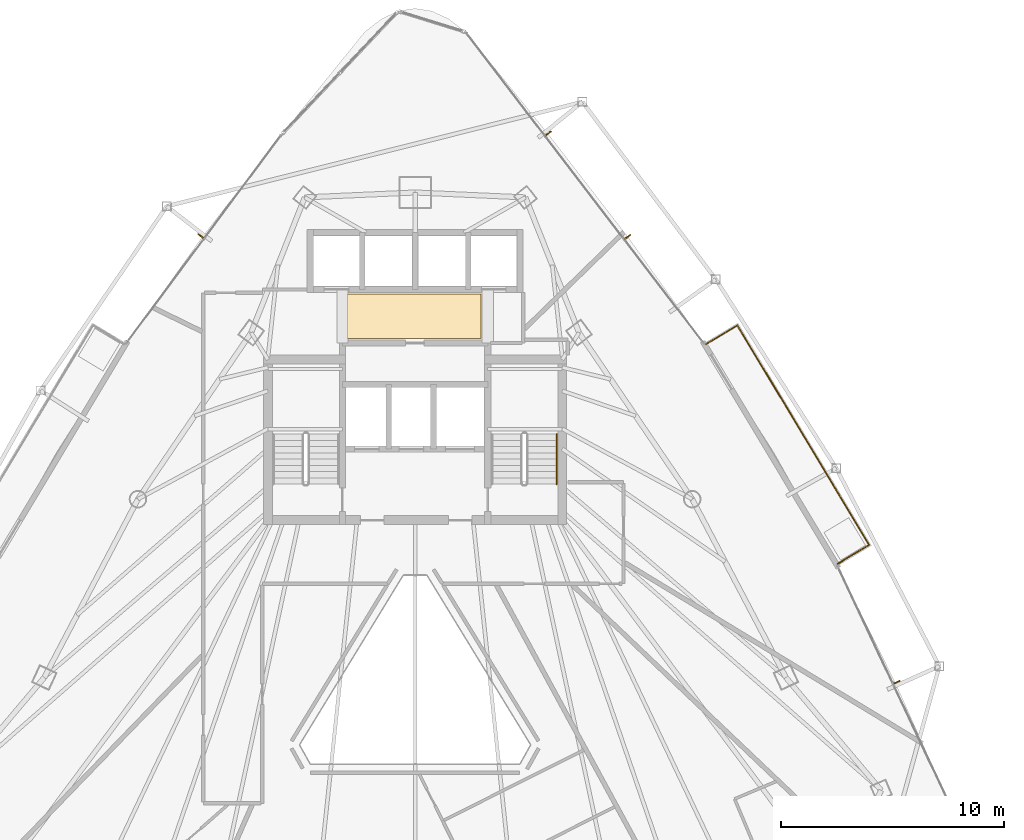
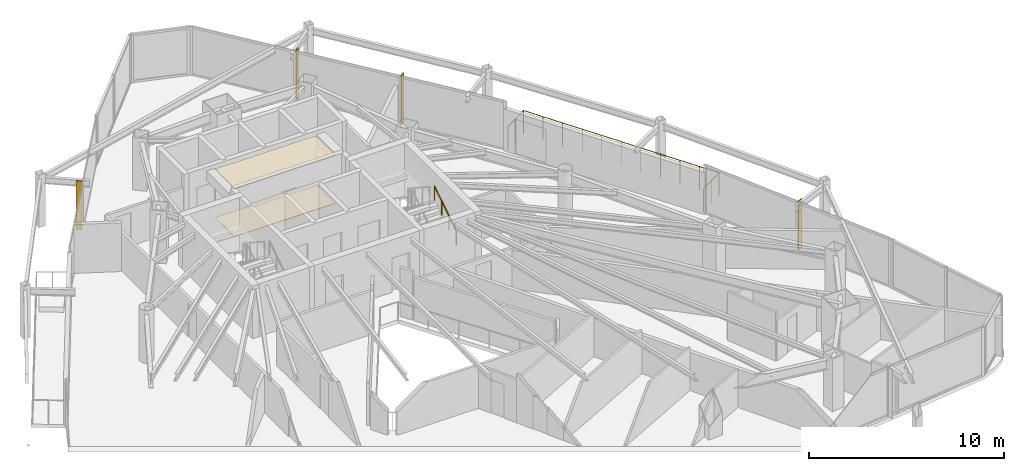
# One storey, part 31 of 31: 4 shading devices, 2 coverings, 2 railings.
"""IFC4 building model written with IfcOpenShell, lengths in metres."""

from ifc_helpers import new_model, si_unit, direction, frame, origin, origin_2d, place, context, subcontext, project, spatial, polyline, rectangle, circle, outline, extrude, material, layer, layer_set, type_object, element, save


model = new_model("IFC4")

# Units and contexts
model_context = context("Model", 3, precision=1e-05, world=origin(), true_north=direction((0.0, 1.0)))
body_context = subcontext(model_context, "Body", "Model", "MODEL_VIEW")
ifc_project = project(units=[si_unit("LENGTHUNIT", "METRE"), si_unit("AREAUNIT", "SQUARE_METRE"), si_unit("VOLUMEUNIT", "CUBIC_METRE"), si_unit("PLANEANGLEUNIT", "RADIAN"), si_unit("MASSUNIT", "GRAM", prefix="KILO")], contexts=[model_context])

# Site, building, storey
site_placement = place(None, origin())
site = spatial("IfcSite", under=ifc_project, at=site_placement, CompositionType="ELEMENT")
building_placement = place(site_placement, origin())
building = spatial("IfcBuilding", under=site, at=building_placement, Name="Orvanel Arch Residences", CompositionType="ELEMENT")
storey_placement = place(building_placement, frame((0.0, 0.0, 110.0)))
storey = spatial("IfcBuildingStorey", under=building, at=storey_placement, Name="L30", CompositionType="ELEMENT", Elevation=110.0)

# Coverings
ifc_material_1 = material(Name="Perforated acoustic mineral-fibre ceiling tile", Category="gypsum")
ifc_layer_1 = layer(ifc_material_1, 0.034912109375)
ifc_layer_set_1 = layer_set([ifc_layer_1], Name="Perforated acoustic mineral-fibre ceiling tile")
covering_type_1 = type_object("IfcCoveringType", Name="COV-CLG-ACS35", PredefinedType="CEILING", material=ifc_layer_set_1)
covering_1_placement = place(storey_placement, frame((0.0, 0.0, 3.02490234375)))
element("IfcCovering", 1, at=covering_1_placement, inside=storey, type_object=covering_type_1, Name="L30 Lift Lobby Acoustic Ceiling", PredefinedType="CEILING", context=body_context, shape_type="SweptSolid", body=[
    extrude(outline(polyline([(29.949951171875, 34.85009765625), (35.949951171875, 34.85009765625), (35.949951171875, 36.85009765625), (29.949951171875, 36.85009765625), (29.949951171875, 34.85009765625)])), origin(), (0.0, 0.0, 1.0), 0.03515625),
])
ifc_material_2 = material(Name="Honed cementitious terrazzo floor finish", Category="concrete")
ifc_layer_2 = layer(ifc_material_2, 0.02490234375)
ifc_layer_set_2 = layer_set([ifc_layer_2], Name="Honed cementitious terrazzo floor finish")
covering_type_2 = type_object("IfcCoveringType", Name="COV-FLR-TRZ25", PredefinedType="FLOORING", material=ifc_layer_set_2)
covering_2_placement = place(storey_placement, origin())
element("IfcCovering", 2, at=covering_2_placement, inside=storey, type_object=covering_type_2, Name="L30 Lift Lobby Terrazzo Flooring", PredefinedType="FLOORING", context=body_context, shape_type="SweptSolid", body=[
    extrude(outline(polyline([(29.949951171875, 34.85009765625), (35.949951171875, 34.85009765625), (35.949951171875, 36.85009765625), (29.949951171875, 36.85009765625), (29.949951171875, 34.85009765625)])), origin(), (0.0, 0.0, 1.0), 0.02490234375),
])

# Shading devices
ifc_material_3 = material(Name="Bronze-anodised aluminium AA6063-T6", Category="aluminium")
ifc_layer_3 = layer(ifc_material_3, 0.054931640625)
ifc_layer_set_3 = layer_set([ifc_layer_3], Name="Bronze-anodised aluminium AA6063-T6")
shading_device_type = type_object("IfcShadingDeviceType", Name="FIN-BRZ-320", PredefinedType="USERDEFINED", material=ifc_layer_set_3)
for number, where, z_axis, x_axis, name in (
    (3, (23.388916015625, 39.44091796875, 0.0), (0.0, 0.0, 1.0), (-0.801775644244, 0.597625146976, 0.0), "L30 Anodised Bronze Mullion FIN 01"),
    (4, (54.614013671875, 19.430908203125, 0.0), (0.0, 0.0, 1.0), (0.904082549661, 0.427357863387, 0.0), "L30 Anodised Bronze Mullion FIN 01"),
    (5, (42.535888671875, 39.406982421875, 0.0), (0.0, 0.0, 1.0), (0.794414620535, 0.607375839723, 0.0), "L30 Anodised Bronze Mullion FIN 01"),
    (6, (38.98095703125, 44.050048828125, 0.0), (0.0, 0.0, 1.0), (0.794414620535, 0.607375839723, 0.0), "L30 Anodised Bronze Mullion FIN 02"),
):
    element("IfcShadingDevice", number, at=place(storey_placement, frame(where, z_axis=z_axis, x_axis=x_axis)), inside=storey, type_object=shading_device_type, Name=name, ObjectType="FIN", PredefinedType="USERDEFINED", context=body_context, shape_type="SweptSolid", body=[
        extrude(rectangle(XDim=0.320068359375, YDim=0.054931640625, at=origin_2d()), origin(), (0.0, 0.0, 1.0), 3.06005859375),
    ])

# Railings
railing_type_1 = type_object("IfcRailingType", Name="RL-BAL-1480", PredefinedType="BALUSTRADE", material=ifc_material_3)
railing_1_placement = place(storey_placement, frame((51.95703125, 24.743896484375, 0.0)))
element("IfcRailing", 7, at=railing_1_placement, inside=storey, type_object=railing_type_1, Name="L30 Balcony Perimeter Guardrail Face 3", PredefinedType="BALUSTRADE", context=body_context, shape_type="SweptSolid", body=[
    extrude(circle(Radius=0.02392578125, at=origin_2d()), frame((0.001220703125, 0.000732421875, 1.4560546875), z_axis=(0.857545439568, 0.514408222208, 0.0), x_axis=(-0.514408222208, 0.857545439568, 0.0)), (0.0, 0.0, 1.0), 1.6376953125),
    extrude(circle(Radius=0.02392578125, at=origin_2d()), frame((1.40625, 0.84521484375, 1.4560546875), z_axis=(-0.514411375866, 0.857543547804, 0.0), x_axis=(-0.857543547804, -0.514411375866, 0.0)), (0.0, 0.0, 1.0), 11.485595703125),
    extrude(circle(Radius=0.02392578125, at=origin_2d()), frame((-4.504150390625, 10.6953125, 1.4560546875), z_axis=(-0.857387817543, -0.514670895164, 0.0), x_axis=(0.514670895164, -0.857387817543, 0.0)), (0.0, 0.0, 1.0), 1.636962890625),
    extrude(circle(Radius=0.02099609375, at=origin_2d()), origin(), (0.0, 0.0, 1.0), 1.429931640625),
    extrude(circle(Radius=0.02099609375, at=origin_2d()), frame((0.70361328125, 0.421875, 0.0)), (0.0, 0.0, 1.0), 1.429931640625),
    extrude(circle(Radius=0.02099609375, at=origin_2d()), frame((1.406982421875, 0.843994140625, 0.0)), (0.0, 0.0, 1.0), 1.429931640625),
    extrude(circle(Radius=0.02099609375, at=origin_2d()), frame((0.81591796875, 1.8291015625, 0.0)), (0.0, 0.0, 1.0), 1.429931640625),
    extrude(circle(Radius=0.02099609375, at=origin_2d()), frame((0.22509765625, 2.814453125, 0.0)), (0.0, 0.0, 1.0), 1.429931640625),
    extrude(circle(Radius=0.02099609375, at=origin_2d()), frame((-0.365966796875, 3.799560546875, 0.0)), (0.0, 0.0, 1.0), 1.429931640625),
    extrude(circle(Radius=0.02099609375, at=origin_2d()), frame((-0.95703125, 4.784912109375, 0.0)), (0.0, 0.0, 1.0), 1.429931640625),
    extrude(circle(Radius=0.02099609375, at=origin_2d()), frame((-1.5478515625, 5.77001953125, 0.0)), (0.0, 0.0, 1.0), 1.429931640625),
    extrude(circle(Radius=0.02099609375, at=origin_2d()), frame((-2.138916015625, 6.755126953125, 0.0)), (0.0, 0.0, 1.0), 1.429931640625),
    extrude(circle(Radius=0.02099609375, at=origin_2d()), frame((-2.72998046875, 7.740478515625, 0.0)), (0.0, 0.0, 1.0), 1.429931640625),
    extrude(circle(Radius=0.02099609375, at=origin_2d()), frame((-3.321044921875, 8.7255859375, 0.0)), (0.0, 0.0, 1.0), 1.429931640625),
    extrude(circle(Radius=0.02099609375, at=origin_2d()), frame((-3.911865234375, 9.7109375, 0.0)), (0.0, 0.0, 1.0), 1.429931640625),
    extrude(circle(Radius=0.02099609375, at=origin_2d()), frame((-4.5029296875, 10.696044921875, 0.0)), (0.0, 0.0, 1.0), 1.429931640625),
    extrude(circle(Radius=0.02099609375, at=origin_2d()), frame((-5.2060546875, 10.27392578125, 0.0)), (0.0, 0.0, 1.0), 1.429931640625),
    extrude(circle(Radius=0.02099609375, at=origin_2d()), frame((-5.908935546875, 9.85205078125, 0.0)), (0.0, 0.0, 1.0), 1.429931640625),
])
ifc_material_4 = material(Name="Structural steel AS/NZS 1163 C350L0 (Grade 350)", Category="steel")
railing_type_2 = type_object("IfcRailingType", Name="RL-STAIR-HAND", PredefinedType="HANDRAIL", material=ifc_material_4)
railing_2_placement = place(storey_placement, frame((39.35009765625, 28.320068359375, 0.183349609375)))
element("IfcRailing", 8, at=railing_2_placement, inside=storey, type_object=railing_type_2, Name="L30 ST-2 stair handrail 1", PredefinedType="HANDRAIL", context=body_context, shape_type="SweptSolid", body=[
    extrude(circle(Radius=0.02392578125, at=origin_2d()), frame((0.0, 0.001220703125, 0.876708984375), z_axis=(0.0, 0.836636935527, 0.547757827979), x_axis=(-1.0, 0.0, 0.0)), (0.0, 0.0, 1.0), 2.67431640625),
    extrude(circle(Radius=0.02099609375, at=origin_2d()), origin(), (0.0, 0.0, 1.0), 0.849853515625),
    extrude(circle(Radius=0.02099609375, at=origin_2d()), frame((0.0, 0.74658203125, 0.48876953125)), (0.0, 0.0, 1.0), 0.849853515625),
    extrude(circle(Radius=0.02099609375, at=origin_2d()), frame((0.0, 1.493408203125, 0.977783203125)), (0.0, 0.0, 1.0), 0.849853515625),
    extrude(circle(Radius=0.02099609375, at=origin_2d()), frame((0.0, 2.239990234375, 1.466552734375)), (0.0, 0.0, 1.0), 0.849853515625),
])

save(model, "model.ifc")
